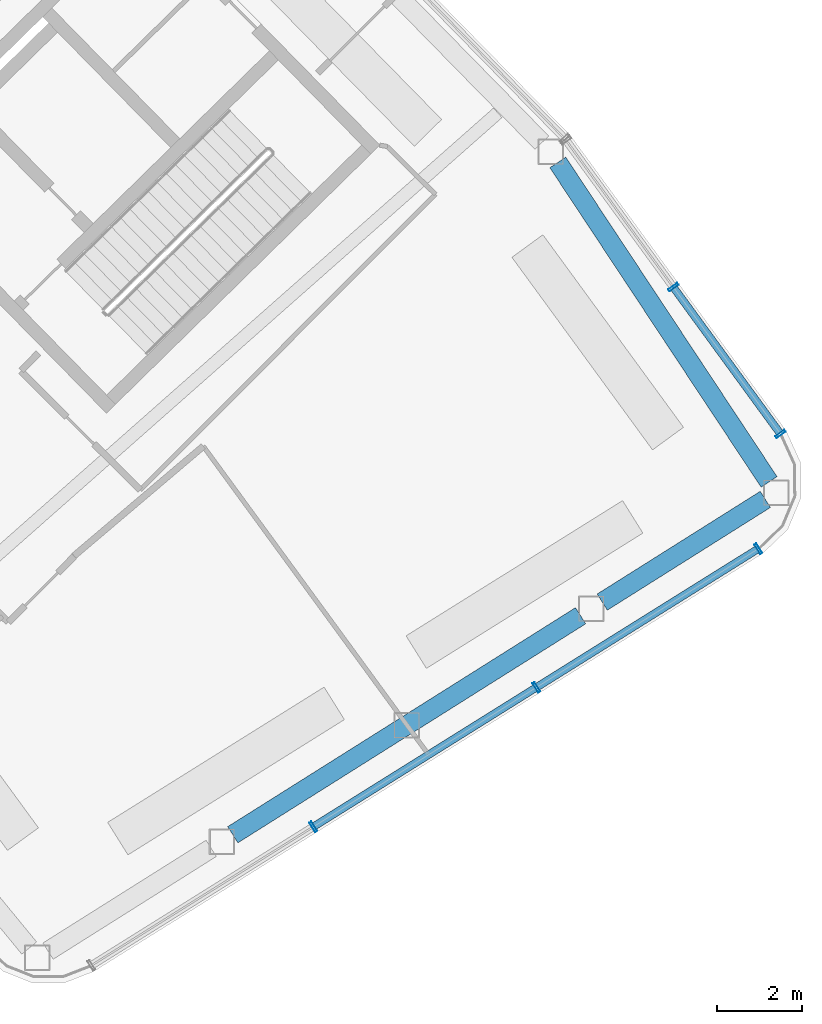
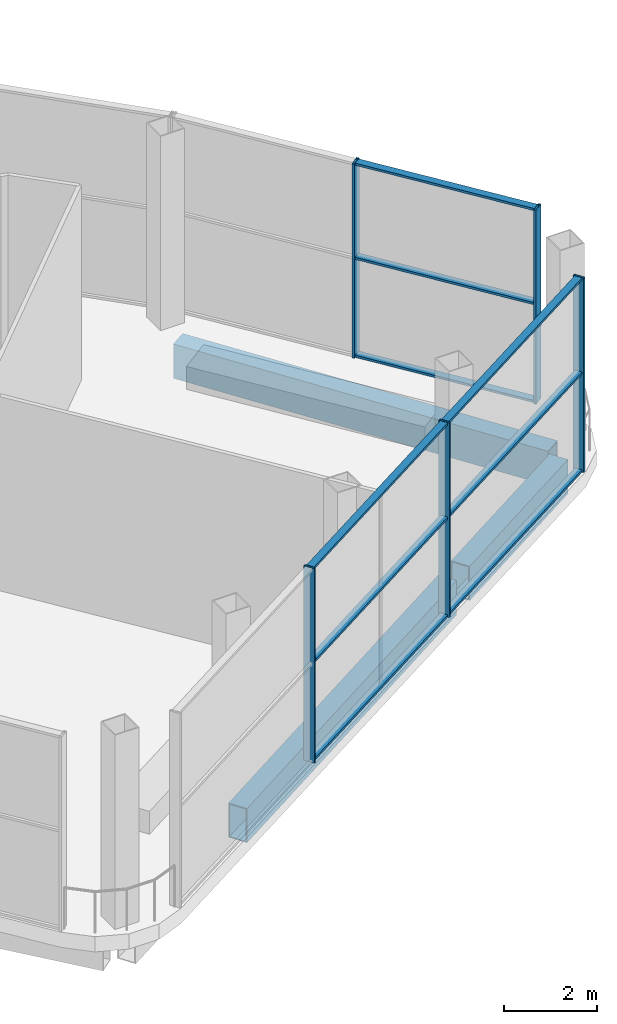
# One storey, part 24 of 43: 14 members, 3 beams, 2 elements without a shape of their own.
"""IFC4 building model written with IfcOpenShell, lengths in metres."""

from ifc_helpers import new_model, si_unit, direction, frame, origin, origin_2d, place, context, subcontext, project, spatial, hollow_rectangle, extrude, material, layer, layer_set, material_profile, profile_set, type_object, element, aggregate, save


model = new_model("IFC4")

# Units and contexts
model_context = context("Model", 3, precision=1e-05, world=origin(), true_north=direction((0.0, 1.0)))
body_context = subcontext(model_context, "Body", "Model", "MODEL_VIEW")
ifc_project = project(units=[si_unit("LENGTHUNIT", "METRE"), si_unit("AREAUNIT", "SQUARE_METRE"), si_unit("VOLUMEUNIT", "CUBIC_METRE"), si_unit("PLANEANGLEUNIT", "RADIAN"), si_unit("MASSUNIT", "GRAM", prefix="KILO")], contexts=[model_context])

# Site, building, storey
site_placement = place(None, origin())
site = spatial("IfcSite", under=ifc_project, at=site_placement, CompositionType="ELEMENT")
building_placement = place(site_placement, origin())
building = spatial("IfcBuilding", under=site, at=building_placement, Name="Tuul Gate Civic Tower", CompositionType="ELEMENT")
storey_placement = place(building_placement, frame((0.0, 0.0, 349.10009765625)))
storey = spatial("IfcBuildingStorey", under=building, at=storey_placement, Name="Observation level 1", CompositionType="ELEMENT", Elevation=349.10009765625)

# Curtain wall, members
ifc_material_1 = material(Name="Stainless steel", Category="steel")
ifc_layer = layer(ifc_material_1, 0.199951171875)
ifc_layer_set = layer_set([ifc_layer], Name="Stainless steel")
curtain_wall_type = type_object("IfcCurtainWallType", Name="Curtain wall CW4", PredefinedType="NOTDEFINED", material=ifc_layer_set)
curtain_wall_1_placement = place(storey_placement, origin())
curtain_wall_1 = element("IfcCurtainWall", 1, at=curtain_wall_1_placement, inside=storey, type_object=curtain_wall_type, Name="Curtain wall CW4", PredefinedType="NOTDEFINED")
ifc_material_2 = material(Name="Stainless steel", Category="steel")
ifc_material_profile_1 = material_profile(ifc_material_2, hollow_rectangle(XDim=0.260009765625, YDim=0.06005859375, WallThickness=0.006103515625, at=origin_2d()), Name="CW4 mullion")
ifc_profile_set_1 = profile_set([ifc_material_profile_1], Name="Stainless steel")
member_type_1 = type_object("IfcMemberType", Name="CW4 mullion", PredefinedType="MULLION", material=ifc_profile_set_1)
member_1_placement = place(storey_placement, frame((63.96435546875, -18.919677734375, 0.0), z_axis=(0.0, 0.0, 1.0), x_axis=(-0.807578487079, -0.589760109881, 0.0)))
member_1 = element("IfcMember", 2, at=member_1_placement, type_object=member_type_1, Name="Mullion", PredefinedType="MULLION", context=body_context, shape_type="SweptSolid", body=[
    extrude(hollow_rectangle(XDim=0.260009765625, YDim=0.06005859375, WallThickness=0.006103515625, at=origin_2d()), origin(), (0.0, 0.0, 1.0), 5.099853515625),
])
member_2_placement = place(storey_placement, frame((61.445068359375, -15.469970703125, 0.0), z_axis=(0.0, 0.0, 1.0), x_axis=(-0.807578487079, -0.589760109881, 0.0)))
member_2 = element("IfcMember", 3, at=member_2_placement, type_object=member_type_1, Name="Mullion", PredefinedType="MULLION", context=body_context, shape_type="SweptSolid", body=[
    extrude(hollow_rectangle(XDim=0.260009765625, YDim=0.06005859375, WallThickness=0.006103515625, at=origin_2d()), origin(), (0.0, 0.0, 1.0), 5.099853515625),
])

curtain_wall_2_placement = place(storey_placement, origin())
curtain_wall_2 = element("IfcCurtainWall", 4, at=curtain_wall_2_placement, inside=storey, type_object=curtain_wall_type, Name="Curtain wall CW4", PredefinedType="NOTDEFINED")
member_3_placement = place(storey_placement, frame((52.982421875, -28.15673828125, 0.0), z_axis=(0.0, 0.0, 1.0), x_axis=(-0.529911707044, 0.848052818366, 0.0)))
member_3 = element("IfcMember", 5, at=member_3_placement, type_object=member_type_1, Name="Mullion", PredefinedType="MULLION", context=body_context, shape_type="SweptSolid", body=[
    extrude(hollow_rectangle(XDim=0.260009765625, YDim=0.06005859375, WallThickness=0.006103515625, at=origin_2d()), origin(), (0.0, 0.0, 1.0), 5.099853515625),
])
member_4_placement = place(storey_placement, frame((58.2255859375, -24.88037109375, 0.0), z_axis=(0.0, 0.0, 1.0), x_axis=(-0.529911707044, 0.848052818366, 0.0)))
member_4 = element("IfcMember", 6, at=member_4_placement, type_object=member_type_1, Name="Mullion", PredefinedType="MULLION", context=body_context, shape_type="SweptSolid", body=[
    extrude(hollow_rectangle(XDim=0.260009765625, YDim=0.06005859375, WallThickness=0.006103515625, at=origin_2d()), origin(), (0.0, 0.0, 1.0), 5.099853515625),
])
member_5_placement = place(storey_placement, frame((63.443603515625, -21.619873046875, 0.0), z_axis=(0.0, 0.0, 1.0), x_axis=(-0.529911707044, 0.848052818366, 0.0)))
member_5 = element("IfcMember", 7, at=member_5_placement, type_object=member_type_1, Name="Mullion", PredefinedType="MULLION", context=body_context, shape_type="SweptSolid", body=[
    extrude(hollow_rectangle(XDim=0.260009765625, YDim=0.06005859375, WallThickness=0.006103515625, at=origin_2d()), origin(), (0.0, 0.0, 1.0), 5.099853515625),
])

# Member
ifc_material_3 = material(Name="Stainless steel", Category="steel")
ifc_material_profile_2 = material_profile(ifc_material_3, hollow_rectangle(XDim=0.179931640625, YDim=0.06005859375, WallThickness=0.006103515625, at=origin_2d()), Name="CW4 transom")
ifc_profile_set_2 = profile_set([ifc_material_profile_2], Name="Stainless steel")
member_type_2 = type_object("IfcMemberType", Name="CW4 transom", PredefinedType="USERDEFINED", material=ifc_profile_set_2)
member_6_placement = place(storey_placement, frame((63.946533203125, -18.8955078125, 0.02978515625), z_axis=(-0.589749140604, 0.807586497631, 0.0), x_axis=(-0.807586497631, -0.589749140604, 0.0)))
member_6 = element("IfcMember", 8, at=member_6_placement, type_object=member_type_2, Name="Transom", ObjectType="TRANSOM", PredefinedType="USERDEFINED", context=body_context, shape_type="SweptSolid", body=[
    extrude(hollow_rectangle(XDim=0.179931640625, YDim=0.06005859375, WallThickness=0.006103515625, at=origin_2d()), origin(), (0.0, 0.0, 1.0), 4.211669921875),
])

member_7_placement = place(storey_placement, frame((63.946533203125, -18.8955078125, 2.599853515625), z_axis=(-0.589749140604, 0.807586497631, 0.0), x_axis=(-0.807586497631, -0.589749140604, 0.0)))
member_7 = element("IfcMember", 9, at=member_7_placement, type_object=member_type_2, Name="Transom", ObjectType="TRANSOM", PredefinedType="USERDEFINED", context=body_context, shape_type="SweptSolid", body=[
    extrude(hollow_rectangle(XDim=0.179931640625, YDim=0.06005859375, WallThickness=0.006103515625, at=origin_2d()), origin(), (0.0, 0.0, 1.0), 4.211669921875),
])

member_8_placement = place(storey_placement, frame((63.946533203125, -18.8955078125, 5.06982421875), z_axis=(-0.589749140604, 0.807586497631, 0.0), x_axis=(-0.807586497631, -0.589749140604, 0.0)))
member_8 = element("IfcMember", 10, at=member_8_placement, type_object=member_type_2, Name="Transom", ObjectType="TRANSOM", PredefinedType="USERDEFINED", context=body_context, shape_type="SweptSolid", body=[
    extrude(hollow_rectangle(XDim=0.179931640625, YDim=0.06005859375, WallThickness=0.006103515625, at=origin_2d()), origin(), (0.0, 0.0, 1.0), 4.211669921875),
])

aggregate(curtain_wall_1, [member_1, member_2, member_6, member_7, member_8])

member_9_placement = place(storey_placement, frame((53.0078125, -28.140869140625, 0.02978515625), z_axis=(0.848043103374, 0.529927254271, 0.0), x_axis=(-0.529927254271, 0.848043103374, 0.0)))
member_9 = element("IfcMember", 11, at=member_9_placement, type_object=member_type_2, Name="Transom", ObjectType="TRANSOM", PredefinedType="USERDEFINED", context=body_context, shape_type="SweptSolid", body=[
    extrude(hollow_rectangle(XDim=0.179931640625, YDim=0.06005859375, WallThickness=0.006103515625, at=origin_2d()), origin(), (0.0, 0.0, 1.0), 6.122802734375),
])

member_10_placement = place(storey_placement, frame((53.0078125, -28.140869140625, 2.599853515625), z_axis=(0.848043103374, 0.529927254271, 0.0), x_axis=(-0.529927254271, 0.848043103374, 0.0)))
member_10 = element("IfcMember", 12, at=member_10_placement, type_object=member_type_2, Name="Transom", ObjectType="TRANSOM", PredefinedType="USERDEFINED", context=body_context, shape_type="SweptSolid", body=[
    extrude(hollow_rectangle(XDim=0.179931640625, YDim=0.06005859375, WallThickness=0.006103515625, at=origin_2d()), origin(), (0.0, 0.0, 1.0), 6.122802734375),
])

member_11_placement = place(storey_placement, frame((53.0078125, -28.140869140625, 5.06982421875), z_axis=(0.848043103374, 0.529927254271, 0.0), x_axis=(-0.529927254271, 0.848043103374, 0.0)))
member_11 = element("IfcMember", 13, at=member_11_placement, type_object=member_type_2, Name="Transom", ObjectType="TRANSOM", PredefinedType="USERDEFINED", context=body_context, shape_type="SweptSolid", body=[
    extrude(hollow_rectangle(XDim=0.179931640625, YDim=0.06005859375, WallThickness=0.006103515625, at=origin_2d()), origin(), (0.0, 0.0, 1.0), 6.122802734375),
])

member_12_placement = place(storey_placement, frame((58.251220703125, -24.864501953125, 0.02978515625), z_axis=(0.848043323515, 0.529926901979, 0.0), x_axis=(-0.529926901979, 0.848043323515, 0.0)))
member_12 = element("IfcMember", 14, at=member_12_placement, type_object=member_type_2, Name="Transom", ObjectType="TRANSOM", PredefinedType="USERDEFINED", context=body_context, shape_type="SweptSolid", body=[
    extrude(hollow_rectangle(XDim=0.179931640625, YDim=0.06005859375, WallThickness=0.006103515625, at=origin_2d()), origin(), (0.0, 0.0, 1.0), 6.0927734375),
])

member_13_placement = place(storey_placement, frame((58.251220703125, -24.864501953125, 2.599853515625), z_axis=(0.848043323515, 0.529926901979, 0.0), x_axis=(-0.529926901979, 0.848043323515, 0.0)))
member_13 = element("IfcMember", 15, at=member_13_placement, type_object=member_type_2, Name="Transom", ObjectType="TRANSOM", PredefinedType="USERDEFINED", context=body_context, shape_type="SweptSolid", body=[
    extrude(hollow_rectangle(XDim=0.179931640625, YDim=0.06005859375, WallThickness=0.006103515625, at=origin_2d()), origin(), (0.0, 0.0, 1.0), 6.0927734375),
])

member_14_placement = place(storey_placement, frame((58.251220703125, -24.864501953125, 5.06982421875), z_axis=(0.848043323515, 0.529926901979, 0.0), x_axis=(-0.529926901979, 0.848043323515, 0.0)))
member_14 = element("IfcMember", 16, at=member_14_placement, type_object=member_type_2, Name="Transom", ObjectType="TRANSOM", PredefinedType="USERDEFINED", context=body_context, shape_type="SweptSolid", body=[
    extrude(hollow_rectangle(XDim=0.179931640625, YDim=0.06005859375, WallThickness=0.006103515625, at=origin_2d()), origin(), (0.0, 0.0, 1.0), 6.0927734375),
])

aggregate(curtain_wall_2, [member_3, member_4, member_5, member_9, member_10, member_11, member_12, member_13, member_14])

# Beams
ifc_material_4 = material(Name="Steel S355", Category="steel")
ifc_material_profile_3 = material_profile(ifc_material_4, hollow_rectangle(XDim=0.449951171875, YDim=0.89990234375, WallThickness=0.02490234375, at=origin_2d()), Name="BOX900x450x25")
ifc_profile_set_3 = profile_set([ifc_material_profile_3], Name="Steel S355")
beam_type = type_object("IfcBeamType", Name="STR-SPANDREL BEAM-BOX900x450x25", PredefinedType="BEAM", material=ifc_profile_set_3)
beam_1_placement = place(storey_placement, frame((63.697509765625, -20.0498046875, -0.85009765625), z_axis=(-0.551649794693, 0.834075838288, 0.0), x_axis=(-0.834075838288, -0.551649794693, 0.0)))
element("IfcBeam", 17, at=beam_1_placement, inside=storey, type_object=beam_type, Name="Spandrel beam", PredefinedType="BEAM", context=body_context, shape_type="SweptSolid", body=[
    extrude(hollow_rectangle(XDim=0.449951171875, YDim=0.89990234375, WallThickness=0.02490234375, at=origin_2d()), origin(), (0.0, 0.0, 1.0), 9.005859375),
])
beam_2_placement = place(storey_placement, frame((51.0888671875, -28.34423828125, -0.85009765625), z_axis=(0.846196555074, 0.532870894477, 0.0), x_axis=(-0.532870894477, 0.846196555074, 0.0)))
element("IfcBeam", 18, at=beam_2_placement, inside=storey, type_object=beam_type, Name="Spandrel beam", PredefinedType="BEAM", context=body_context, shape_type="SweptSolid", body=[
    extrude(hollow_rectangle(XDim=0.449951171875, YDim=0.89990234375, WallThickness=0.02490234375, at=origin_2d()), origin(), (0.0, 0.0, 1.0), 9.66357421875),
])
beam_3_placement = place(storey_placement, frame((59.77392578125, -22.875244140625, -0.85009765625), z_axis=(0.846180663287, 0.532896129728, 0.0), x_axis=(-0.532896129728, 0.846180663287, 0.0)))
element("IfcBeam", 19, at=beam_3_placement, inside=storey, type_object=beam_type, Name="Spandrel beam", PredefinedType="BEAM", context=body_context, shape_type="SweptSolid", body=[
    extrude(hollow_rectangle(XDim=0.449951171875, YDim=0.89990234375, WallThickness=0.02490234375, at=origin_2d()), origin(), (0.0, 0.0, 1.0), 4.532470703125),
])

save(model, "model.ifc")
